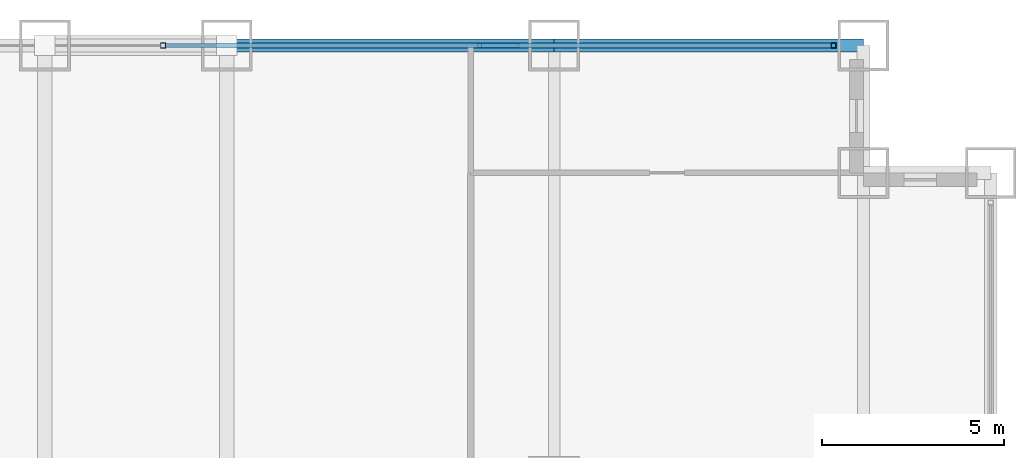
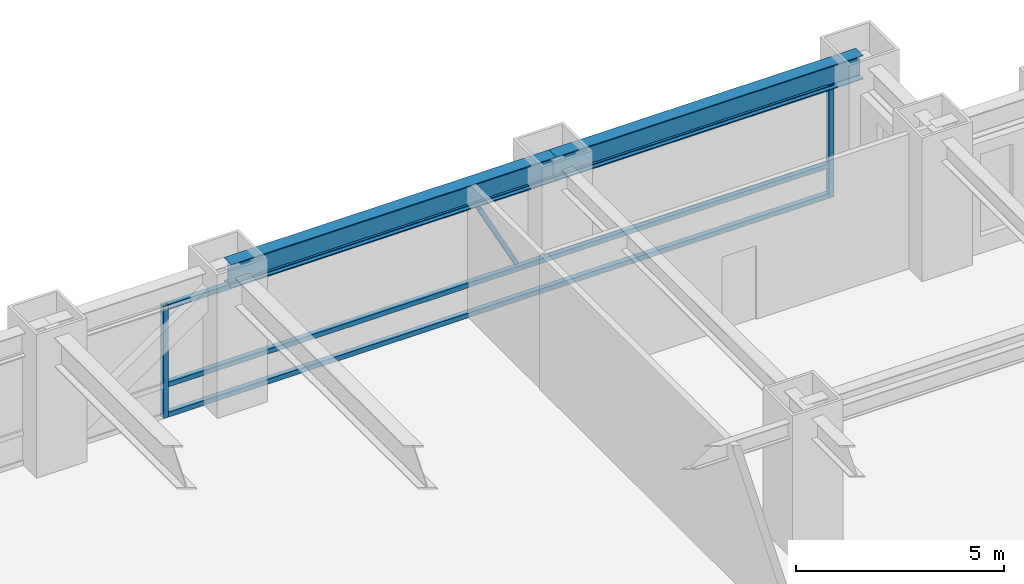
# One storey, part 21 of 28: 6 members, 2 beams, 1 element without a shape of its own.
"""IFC4 building model written with IfcOpenShell, lengths in metres."""

from ifc_helpers import new_model, si_unit, direction, frame, origin, origin_2d, place, context, subcontext, project, spatial, hollow_rectangle, i_section, extrude, source, transform, mapped, material, material_profile, profile_set, type_object, element, aggregate, save


model = new_model("IFC4")

# Units and contexts
model_context = context("Model", 3, precision=1e-05, world=origin(), true_north=direction((0.0, 1.0)))
body_context = subcontext(model_context, "Body", "Model", "MODEL_VIEW")
ifc_project = project(units=[si_unit("LENGTHUNIT", "METRE"), si_unit("AREAUNIT", "SQUARE_METRE"), si_unit("VOLUMEUNIT", "CUBIC_METRE"), si_unit("PLANEANGLEUNIT", "RADIAN"), si_unit("MASSUNIT", "GRAM", prefix="KILO")], contexts=[model_context])

# Site, building, storey
site_placement = place(None, origin())
site = spatial("IfcSite", under=ifc_project, at=site_placement, CompositionType="ELEMENT")
building_placement = place(site_placement, origin())
building = spatial("IfcBuilding", under=site, at=building_placement, Name="Khorayat Bourse Tower", CompositionType="ELEMENT")
storey_placement = place(building_placement, frame((0.0, 0.0, 62.0)))
storey = spatial("IfcBuildingStorey", under=building, at=storey_placement, Name="L13", CompositionType="ELEMENT", Elevation=62.0)

# Beams
ifc_material_1 = material(Name="Steel ASTM A992 Grade 50", Category="steel")
ifc_material_profile_1 = material_profile(ifc_material_1, i_section(OverallWidth=0.35498046875, OverallDepth=0.695068359375, WebThickness=0.015380859375, FlangeThickness=0.02490234375, FilletRadius=0.01806640625, at=origin_2d()), Name="W690X217")
ifc_profile_set_1 = profile_set([ifc_material_profile_1], Name="Steel ASTM A992 Grade 50")
beam_type = type_object("IfcBeamType", Name="BM-SPAN-690", PredefinedType="SPANDREL", material=ifc_profile_set_1)
shared_shape_1 = source(origin(), body_context, "Body", "SweptSolid", [
    extrude(i_section(OverallWidth=0.35498046875, OverallDepth=0.695068359375, WebThickness=0.015380859375, FlangeThickness=0.02490234375, FilletRadius=0.01806640625, at=origin_2d()), origin(), (0.0, 0.0, 1.0), 8.5),
])
beam_1_placement = place(storey_placement, frame((20.0, 32.0, 3.592529296875), z_axis=(1.0, 0.0, 0.0), x_axis=(0.0, 1.0, 0.0)))
element("IfcBeam", 1, at=beam_1_placement, inside=storey, type_object=beam_type, Name="L13 BM-SPAN-690 BM-L13-SPN-044", PredefinedType="SPANDREL", context=body_context, shape_type="MappedRepresentation", body=[
    mapped(shared_shape_1, transform((0.0, 0.0, 0.0), scale=1.0)),
])
shared_shape_2 = source(origin(), body_context, "Body", "SweptSolid", [
    extrude(i_section(OverallWidth=0.35498046875, OverallDepth=0.695068359375, WebThickness=0.015380859375, FlangeThickness=0.02490234375, FilletRadius=0.01806640625, at=origin_2d()), origin(), (0.0, 0.0, 1.0), 9.0),
])
beam_2_placement = place(storey_placement, frame((11.0, 32.0, 3.592529296875), z_axis=(1.0, 0.0, 0.0), x_axis=(0.0, 1.0, 0.0)))
element("IfcBeam", 2, at=beam_2_placement, inside=storey, type_object=beam_type, Name="L13 BM-SPAN-690 BM-L13-SPN-045", PredefinedType="SPANDREL", context=body_context, shape_type="MappedRepresentation", body=[
    mapped(shared_shape_2, transform((0.0, 0.0, 0.0), scale=1.0)),
])

# Curtain wall, members
ifc_material_2 = material(Name="Aluminium EN AW-6063 T6", Category="aluminium")
curtain_wall_type = type_object("IfcCurtainWallType", Name="CW-SYS-02", PredefinedType="NOTDEFINED", material=ifc_material_2)
curtain_wall_placement = place(storey_placement, origin())
curtain_wall = element("IfcCurtainWall", 3, at=curtain_wall_placement, inside=storey, type_object=curtain_wall_type, Name="L13 Curtain Wall CW-L13-N1", PredefinedType="NOTDEFINED")
ifc_material_profile_2 = material_profile(ifc_material_2, hollow_rectangle(XDim=0.139892578125, YDim=0.139892578125, WallThickness=0.006103515625, at=origin_2d()), Name="ALU 140x140x6")
ifc_profile_set_2 = profile_set([ifc_material_profile_2], Name="Aluminium EN AW-6063 T6")
member_type_1 = type_object("IfcMemberType", Name="CWT-HORZ-140", PredefinedType="USERDEFINED", material=ifc_profile_set_2)
shared_shape_3 = source(origin(), body_context, "Body", "SweptSolid", [
    extrude(hollow_rectangle(XDim=0.139892578125, YDim=0.139892578125, WallThickness=0.006103515625, at=origin_2d()), origin(), (0.0, 0.0, 1.0), 18.2900390625),
])
member_1_placement = place(storey_placement, frame((9.320068359375, 32.0, 0.070068359375), z_axis=(1.0, 0.0, 0.0), x_axis=(0.0, 1.0, 0.0)))
member_1 = element("IfcMember", 4, at=member_1_placement, type_object=member_type_1, Name="CW-L13-N1 Horizontal Transom 3-1", ObjectType="TRANSOM", PredefinedType="USERDEFINED", context=body_context, shape_type="MappedRepresentation", body=[
    mapped(shared_shape_3, transform((0.0, 0.0, 0.0), scale=1.0)),
])
member_2_placement = place(storey_placement, frame((9.320068359375, 32.0, 0.949951171875), z_axis=(1.0, 0.0, 0.0), x_axis=(0.0, 1.0, 0.0)))
member_2 = element("IfcMember", 5, at=member_2_placement, type_object=member_type_1, Name="CW-L13-N1 Horizontal Transom 3-2", ObjectType="TRANSOM", PredefinedType="USERDEFINED", context=body_context, shape_type="MappedRepresentation", body=[
    mapped(shared_shape_3, transform((0.0, 0.0, 0.0), scale=1.0)),
])
member_3_placement = place(storey_placement, frame((9.320068359375, 32.0, 3.219970703125), z_axis=(1.0, 0.0, 0.0), x_axis=(0.0, 1.0, 0.0)))
member_3 = element("IfcMember", 6, at=member_3_placement, type_object=member_type_1, Name="CW-L13-N1 Horizontal Transom 3-3", ObjectType="TRANSOM", PredefinedType="USERDEFINED", context=body_context, shape_type="MappedRepresentation", body=[
    mapped(shared_shape_3, transform((0.0, 0.0, 0.0), scale=1.0)),
])
ifc_material_profile_3 = material_profile(ifc_material_2, hollow_rectangle(XDim=0.1201171875, YDim=0.1201171875, WallThickness=0.0048828125, at=origin_2d()), Name="ALU 120x120x5")
ifc_profile_set_3 = profile_set([ifc_material_profile_3], Name="Aluminium EN AW-6063 T6")
member_type_2 = type_object("IfcMemberType", Name="CWM-DIAG-120", PredefinedType="MULLION", material=ifc_profile_set_3)
shared_shape_4 = source(origin(), body_context, "Body", "SweptSolid", [
    extrude(hollow_rectangle(XDim=0.1201171875, YDim=0.1201171875, WallThickness=0.0048828125, at=origin_2d()), origin(), (0.0, 0.0, 1.0), 2.22607421875),
])
member_4_placement = place(storey_placement, frame((18.9833984375, 32.0, 1.10009765625), z_axis=(-0.465759992596, 0.0, 0.884911085532), x_axis=(0.0, -1.0, 0.0)))
member_4 = element("IfcMember", 7, at=member_4_placement, type_object=member_type_2, Name="CW-L13-N1 Faceted Diagonal Mullion 3", PredefinedType="MULLION", context=body_context, shape_type="MappedRepresentation", body=[
    mapped(shared_shape_4, transform((0.0, 0.0, 0.0), scale=1.0)),
])
ifc_material_profile_4 = material_profile(ifc_material_2, hollow_rectangle(XDim=0.139892578125, YDim=0.139892578125, WallThickness=0.006103515625, at=origin_2d()), Name="ALU 140x140x6")
ifc_profile_set_4 = profile_set([ifc_material_profile_4], Name="Aluminium EN AW-6063 T6")
member_type_3 = type_object("IfcMemberType", Name="CWM-VERT-140", PredefinedType="MULLION", material=ifc_profile_set_4)
shared_shape_5 = source(origin(), body_context, "Body", "SweptSolid", [
    extrude(hollow_rectangle(XDim=0.139892578125, YDim=0.139892578125, WallThickness=0.006103515625, at=origin_2d()), origin(), (0.0, 0.0, 1.0), 3.2900390625),
])
member_5_placement = place(storey_placement, frame((9.25, 32.0, 0.0), z_axis=(0.0, 0.0, 1.0), x_axis=(0.0, 1.0, 0.0)))
member_5 = element("IfcMember", 8, at=member_5_placement, type_object=member_type_3, Name="CW-L13-N1 Vertical Mullion 3", PredefinedType="MULLION", context=body_context, shape_type="MappedRepresentation", body=[
    mapped(shared_shape_5, transform((0.0, 0.0, 0.0), scale=1.0)),
])
member_6_placement = place(storey_placement, frame((27.679931640625, 32.0, 0.0), z_axis=(0.0, 0.0, 1.0), x_axis=(0.0, 1.0, 0.0)))
member_6 = element("IfcMember", 9, at=member_6_placement, type_object=member_type_3, Name="CW-L13-N1 Vertical Mullion 4", PredefinedType="MULLION", context=body_context, shape_type="MappedRepresentation", body=[
    mapped(shared_shape_5, transform((0.0, 0.0, 0.0), scale=1.0)),
])
aggregate(curtain_wall, [member_5, member_6, member_1, member_2, member_3, member_4])

save(model, "model.ifc")
